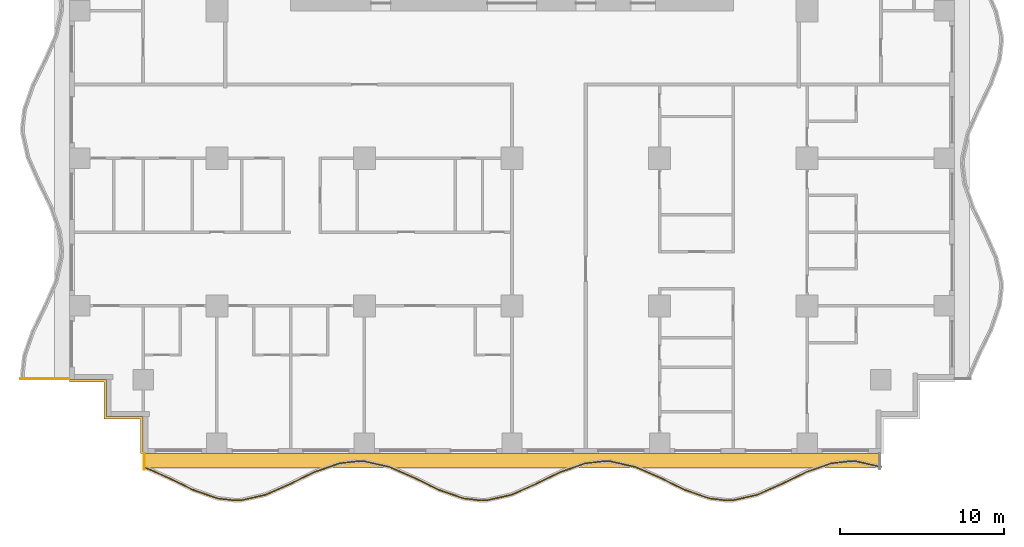
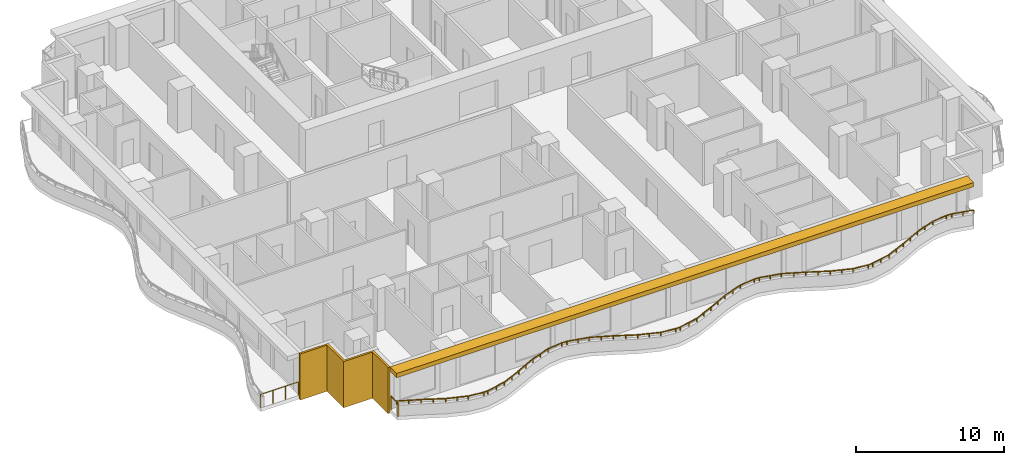
# One storey, part 8 of 14: 3 railings, 2 shading devices.
"""IFC4 building model written with IfcOpenShell, lengths in metres."""

from ifc_helpers import new_model, si_unit, direction, frame, origin, origin_2d, place, context, subcontext, project, spatial, polyline, rectangle, outline, extrude, material, layer, layer_set, type_object, element, save


model = new_model("IFC4")

# Units and contexts
model_context = context("Model", 3, precision=1e-05, world=origin(), true_north=direction((0.0, 1.0)))
body_context = subcontext(model_context, "Body", "Model", "MODEL_VIEW")
ifc_project = project(units=[si_unit("LENGTHUNIT", "METRE"), si_unit("AREAUNIT", "SQUARE_METRE"), si_unit("VOLUMEUNIT", "CUBIC_METRE"), si_unit("PLANEANGLEUNIT", "RADIAN"), si_unit("MASSUNIT", "GRAM", prefix="KILO")], contexts=[model_context])

# Site, building, storey
site_placement = place(None, origin())
site = spatial("IfcSite", under=ifc_project, at=site_placement, CompositionType="ELEMENT")
building_placement = place(site_placement, origin())
building = spatial("IfcBuilding", under=site, at=building_placement, Name="Orbiselva Terraces", CompositionType="ELEMENT")
storey_placement = place(building_placement, frame((0.0, 0.0, 103.6)))
storey = spatial("IfcBuildingStorey", under=building, at=storey_placement, Name="L26", CompositionType="ELEMENT", Elevation=103.6)

# Railings
ifc_material_1 = material(Name="Bonded two-ply safety glass balustrade, stainless steel posts", Category="steel")
railing_type_1 = type_object("IfcRailingType", Name="ENV-BALUSTRADE-1200", PredefinedType="BALUSTRADE", material=ifc_material_1)
railing_1_placement = place(storey_placement, frame((-22.449606, -23.33708, 0.9)))
element("IfcRailing", 1, at=railing_1_placement, inside=storey, type_object=railing_type_1, Name="Balcony balustrade L26 S", PredefinedType="BALUSTRADE", context=body_context, shape_type="SweptSolid", body=[
    extrude(outline(polyline([(0.028868, 0.0), (0.014434, 0.025), (-0.014434, 0.025), (-0.028868, 0.0), (-0.014434, -0.025), (0.014434, -0.025), (0.028868, 0.0)])), frame((0.0, 0.0, 0.275), z_axis=(0.915133394491, -0.403151175476, 0.0), x_axis=(0.403151175476, 0.915133394491, 0.0)), (0.0, 0.0, 1.0), 1.641563),
    extrude(outline(polyline([(0.028868, 0.0), (0.014434, 0.025), (-0.014434, 0.025), (-0.028868, 0.0), (-0.014434, -0.025), (0.014434, -0.025), (0.028868, 0.0)])), frame((1.502249, -0.661798, 0.275), z_axis=(0.89857890432, -0.438811978768, 0.0), x_axis=(0.438811978768, 0.89857890432, 0.0)), (0.0, 0.0, 1.0), 1.66438),
    extrude(outline(polyline([(0.028868, 0.0), (0.014434, 0.025), (-0.014434, 0.025), (-0.028868, 0.0), (-0.014434, -0.025), (0.014434, -0.025), (0.028868, 0.0)])), frame((2.997826, -1.392148, 0.275), z_axis=(0.943972277814, -0.330024754707, 0.0), x_axis=(0.330024754707, 0.943972277814, 0.0)), (0.0, 0.0, 1.0), 1.567807),
    extrude(outline(polyline([(0.028868, 0.0), (0.014434, 0.025), (-0.014434, 0.025), (-0.028868, 0.0), (-0.014434, -0.025), (0.014434, -0.025), (0.028868, 0.0)])), frame((4.477792, -1.909563, 0.275), z_axis=(0.993309658409, -0.115481264762, 0.0), x_axis=(0.115481264762, 0.993309658409, 0.0)), (0.0, 0.0, 1.0), 1.10902),
    extrude(outline(polyline([(0.028868, 0.0), (0.014434, 0.025), (-0.014434, 0.025), (-0.028868, 0.0), (-0.014434, -0.025), (0.014434, -0.025), (0.028868, 0.0)])), frame((5.579392, -2.037634, 0.275), z_axis=(0.999224931454, 0.039364150694, 0.0), x_axis=(-0.039364150694, 0.999224931454, 0.0)), (0.0, 0.0, 1.0), 0.354206),
    extrude(outline(polyline([(0.028868, 0.0), (0.014434, 0.025), (-0.014434, 0.025), (-0.028868, 0.0), (-0.014434, -0.025), (0.014434, -0.025), (0.028868, 0.0)])), frame((5.933323, -2.023691, 0.275), z_axis=(0.975721325753, 0.219015740235, 0.0), x_axis=(-0.219015740235, 0.975721325753, 0.0)), (0.0, 0.0, 1.0), 1.513782),
    extrude(outline(polyline([(0.028868, 0.0), (0.014434, 0.025), (-0.014434, 0.025), (-0.028868, 0.0), (-0.014434, -0.025), (0.014434, -0.025), (0.028868, 0.0)])), frame((7.410352, -1.692149, 0.275), z_axis=(0.915133363686, 0.403151245402, 0.0), x_axis=(-0.403151245402, 0.915133363686, 0.0)), (0.0, 0.0, 1.0), 1.624475),
    extrude(outline(polyline([(0.028868, 0.0), (0.014434, 0.025), (-0.014434, 0.025), (-0.028868, 0.0), (-0.014434, -0.025), (0.014434, -0.025), (0.028868, 0.0)])), frame((8.896963, -1.03724, 0.275), z_axis=(0.898578870221, 0.438812048596, 0.0), x_axis=(-0.438812048596, 0.898578870221, 0.0)), (0.0, 0.0, 1.0), 1.674225),
    extrude(outline(polyline([(0.028868, 0.0), (0.014434, 0.025), (-0.014434, 0.025), (-0.028868, 0.0), (-0.014434, -0.025), (0.014434, -0.025), (0.028868, 0.0)])), frame((10.401386, -0.30257, 0.275), z_axis=(0.943972332783, 0.330024597479, 0.0), x_axis=(-0.330024597479, 0.943972332783, 0.0)), (0.0, 0.0, 1.0), 1.610253),
    extrude(outline(polyline([(0.028868, 0.0), (0.014434, 0.025), (-0.014434, 0.025), (-0.028868, 0.0), (-0.014434, -0.025), (0.014434, -0.025), (0.028868, 0.0)])), frame((11.92142, 0.228853, 0.275), z_axis=(0.993309551734, 0.115482182324, 0.0), x_axis=(-0.115482182324, 0.993309551734, 0.0)), (0.0, 0.0, 1.0), 1.156135),
    extrude(outline(polyline([(0.028868, 0.0), (0.014434, 0.025), (-0.014434, 0.025), (-0.028868, 0.0), (-0.014434, -0.025), (0.014434, -0.025), (0.028868, 0.0)])), frame((13.06982, 0.362366, 0.275), z_axis=(0.999224734286, -0.03936915532, 0.0), x_axis=(0.03936915532, 0.999224734286, 0.0)), (0.0, 0.0, 1.0), 0.396376),
    extrude(outline(polyline([(0.028868, 0.0), (0.014434, 0.025), (-0.014434, 0.025), (-0.028868, 0.0), (-0.014434, -0.025), (0.014434, -0.025), (0.028868, 0.0)])), frame((13.465889, 0.346761, 0.275), z_axis=(0.97572137947, -0.219015500924, 0.0), x_axis=(0.219015500924, 0.97572137947, 0.0)), (0.0, 0.0, 1.0), 1.560867),
    extrude(outline(polyline([(0.028868, 0.0), (0.014434, 0.025), (-0.014434, 0.025), (-0.028868, 0.0), (-0.014434, -0.025), (0.014434, -0.025), (0.028868, 0.0)])), frame((14.98886, 0.004907, 0.275), z_axis=(0.915133527237, -0.403150874148, 0.0), x_axis=(0.403150874148, 0.915133527237, 0.0)), (0.0, 0.0, 1.0), 1.653736),
    extrude(outline(polyline([(0.028868, 0.0), (0.014434, 0.025), (-0.014434, 0.025), (-0.028868, 0.0), (-0.014434, -0.025), (0.014434, -0.025), (0.028868, 0.0)])), frame((16.502249, -0.661798, 0.275), z_axis=(0.89857890432, -0.438811978768, 0.0), x_axis=(0.438811978768, 0.89857890432, 0.0)), (0.0, 0.0, 1.0), 1.66438),
    extrude(outline(polyline([(0.028868, 0.0), (0.014434, 0.025), (-0.014434, 0.025), (-0.028868, 0.0), (-0.014434, -0.025), (0.014434, -0.025), (0.028868, 0.0)])), frame((17.997826, -1.392148, 0.275), z_axis=(0.943972277814, -0.330024754707, 0.0), x_axis=(0.330024754707, 0.943972277814, 0.0)), (0.0, 0.0, 1.0), 1.567807),
    extrude(outline(polyline([(0.028868, 0.0), (0.014434, 0.025), (-0.014434, 0.025), (-0.028868, 0.0), (-0.014434, -0.025), (0.014434, -0.025), (0.028868, 0.0)])), frame((19.477792, -1.909563, 0.275), z_axis=(0.993309658409, -0.115481264762, 0.0), x_axis=(0.115481264762, 0.993309658409, 0.0)), (0.0, 0.0, 1.0), 1.10902),
    extrude(outline(polyline([(0.028868, 0.0), (0.014434, 0.025), (-0.014434, 0.025), (-0.028868, 0.0), (-0.014434, -0.025), (0.014434, -0.025), (0.028868, 0.0)])), frame((20.579392, -2.037634, 0.275), z_axis=(0.999224931454, 0.039364150694, 0.0), x_axis=(-0.039364150694, 0.999224931454, 0.0)), (0.0, 0.0, 1.0), 0.354206),
    extrude(outline(polyline([(0.028868, 0.0), (0.014434, 0.025), (-0.014434, 0.025), (-0.028868, 0.0), (-0.014434, -0.025), (0.014434, -0.025), (0.028868, 0.0)])), frame((20.933323, -2.023691, 0.275), z_axis=(0.975721325753, 0.219015740235, 0.0), x_axis=(-0.219015740235, 0.975721325753, 0.0)), (0.0, 0.0, 1.0), 1.513782),
    extrude(outline(polyline([(0.028868, 0.0), (0.014434, 0.025), (-0.014434, 0.025), (-0.028868, 0.0), (-0.014434, -0.025), (0.014434, -0.025), (0.028868, 0.0)])), frame((22.410352, -1.692149, 0.275), z_axis=(0.915133363686, 0.403151245402, 0.0), x_axis=(-0.403151245402, 0.915133363686, 0.0)), (0.0, 0.0, 1.0), 1.624475),
    extrude(outline(polyline([(0.028868, 0.0), (0.014434, 0.025), (-0.014434, 0.025), (-0.028868, 0.0), (-0.014434, -0.025), (0.014434, -0.025), (0.028868, 0.0)])), frame((23.896963, -1.03724, 0.275), z_axis=(0.898578870221, 0.438812048596, 0.0), x_axis=(-0.438812048596, 0.898578870221, 0.0)), (0.0, 0.0, 1.0), 1.674225),
    extrude(outline(polyline([(0.028868, 0.0), (0.014434, 0.025), (-0.014434, 0.025), (-0.028868, 0.0), (-0.014434, -0.025), (0.014434, -0.025), (0.028868, 0.0)])), frame((25.401386, -0.30257, 0.275), z_axis=(0.943972332783, 0.330024597479, 0.0), x_axis=(-0.330024597479, 0.943972332783, 0.0)), (0.0, 0.0, 1.0), 1.610253),
    extrude(outline(polyline([(0.028868, 0.0), (0.014434, 0.025), (-0.014434, 0.025), (-0.028868, 0.0), (-0.014434, -0.025), (0.014434, -0.025), (0.028868, 0.0)])), frame((26.92142, 0.228853, 0.275), z_axis=(0.993309551734, 0.115482182324, 0.0), x_axis=(-0.115482182324, 0.993309551734, 0.0)), (0.0, 0.0, 1.0), 1.156135),
    extrude(outline(polyline([(0.028868, 0.0), (0.014434, 0.025), (-0.014434, 0.025), (-0.028868, 0.0), (-0.014434, -0.025), (0.014434, -0.025), (0.028868, 0.0)])), frame((28.06982, 0.362366, 0.275), z_axis=(0.999224734286, -0.03936915532, 0.0), x_axis=(0.03936915532, 0.999224734286, 0.0)), (0.0, 0.0, 1.0), 0.396376),
    extrude(outline(polyline([(0.028868, 0.0), (0.014434, 0.025), (-0.014434, 0.025), (-0.028868, 0.0), (-0.014434, -0.025), (0.014434, -0.025), (0.028868, 0.0)])), frame((28.465889, 0.346761, 0.275), z_axis=(0.97572137947, -0.219015500924, 0.0), x_axis=(0.219015500924, 0.97572137947, 0.0)), (0.0, 0.0, 1.0), 1.560867),
    extrude(outline(polyline([(0.028868, 0.0), (0.014434, 0.025), (-0.014434, 0.025), (-0.028868, 0.0), (-0.014434, -0.025), (0.014434, -0.025), (0.028868, 0.0)])), frame((29.98886, 0.004907, 0.275), z_axis=(0.915133527237, -0.403150874148, 0.0), x_axis=(0.403150874148, 0.915133527237, 0.0)), (0.0, 0.0, 1.0), 1.653736),
    extrude(outline(polyline([(0.028868, 0.0), (0.014434, 0.025), (-0.014434, 0.025), (-0.028868, 0.0), (-0.014434, -0.025), (0.014434, -0.025), (0.028868, 0.0)])), frame((31.502249, -0.661798, 0.275), z_axis=(0.89857890432, -0.438811978768, 0.0), x_axis=(0.438811978768, 0.89857890432, 0.0)), (0.0, 0.0, 1.0), 1.66438),
    extrude(outline(polyline([(0.028868, 0.0), (0.014434, 0.025), (-0.014434, 0.025), (-0.028868, 0.0), (-0.014434, -0.025), (0.014434, -0.025), (0.028868, 0.0)])), frame((32.997826, -1.392148, 0.275), z_axis=(0.943972277814, -0.330024754707, 0.0), x_axis=(0.330024754707, 0.943972277814, 0.0)), (0.0, 0.0, 1.0), 1.567807),
    extrude(outline(polyline([(0.028868, 0.0), (0.014434, 0.025), (-0.014434, 0.025), (-0.028868, 0.0), (-0.014434, -0.025), (0.014434, -0.025), (0.028868, 0.0)])), frame((34.477792, -1.909563, 0.275), z_axis=(0.993309658409, -0.115481264762, 0.0), x_axis=(0.115481264762, 0.993309658409, 0.0)), (0.0, 0.0, 1.0), 1.10902),
    extrude(outline(polyline([(0.028868, 0.0), (0.014434, 0.025), (-0.014434, 0.025), (-0.028868, 0.0), (-0.014434, -0.025), (0.014434, -0.025), (0.028868, 0.0)])), frame((35.579392, -2.037634, 0.275), z_axis=(0.999224931454, 0.039364150694, 0.0), x_axis=(-0.039364150694, 0.999224931454, 0.0)), (0.0, 0.0, 1.0), 0.354206),
    extrude(outline(polyline([(0.028868, 0.0), (0.014434, 0.025), (-0.014434, 0.025), (-0.028868, 0.0), (-0.014434, -0.025), (0.014434, -0.025), (0.028868, 0.0)])), frame((35.933323, -2.023691, 0.275), z_axis=(0.975721325753, 0.219015740235, 0.0), x_axis=(-0.219015740235, 0.975721325753, 0.0)), (0.0, 0.0, 1.0), 1.513782),
    extrude(outline(polyline([(0.028868, 0.0), (0.014434, 0.025), (-0.014434, 0.025), (-0.028868, 0.0), (-0.014434, -0.025), (0.014434, -0.025), (0.028868, 0.0)])), frame((37.410352, -1.692149, 0.275), z_axis=(0.915133363686, 0.403151245402, 0.0), x_axis=(-0.403151245402, 0.915133363686, 0.0)), (0.0, 0.0, 1.0), 1.624475),
    extrude(outline(polyline([(0.028868, 0.0), (0.014434, 0.025), (-0.014434, 0.025), (-0.028868, 0.0), (-0.014434, -0.025), (0.014434, -0.025), (0.028868, 0.0)])), frame((38.896963, -1.03724, 0.275), z_axis=(0.898578870221, 0.438812048596, 0.0), x_axis=(-0.438812048596, 0.898578870221, 0.0)), (0.0, 0.0, 1.0), 1.674225),
    extrude(outline(polyline([(0.028868, 0.0), (0.014434, 0.025), (-0.014434, 0.025), (-0.028868, 0.0), (-0.014434, -0.025), (0.014434, -0.025), (0.028868, 0.0)])), frame((40.401386, -0.30257, 0.275), z_axis=(0.943972332783, 0.330024597479, 0.0), x_axis=(-0.330024597479, 0.943972332783, 0.0)), (0.0, 0.0, 1.0), 1.610253),
    extrude(outline(polyline([(0.028868, 0.0), (0.014434, 0.025), (-0.014434, 0.025), (-0.028868, 0.0), (-0.014434, -0.025), (0.014434, -0.025), (0.028868, 0.0)])), frame((41.92142, 0.228853, 0.275), z_axis=(0.993309551734, 0.115482182324, 0.0), x_axis=(-0.115482182324, 0.993309551734, 0.0)), (0.0, 0.0, 1.0), 1.156135),
    extrude(outline(polyline([(0.028868, 0.0), (0.014434, 0.025), (-0.014434, 0.025), (-0.028868, 0.0), (-0.014434, -0.025), (0.014434, -0.025), (0.028868, 0.0)])), frame((43.06982, 0.362366, 0.275), z_axis=(0.999224734286, -0.03936915532, 0.0), x_axis=(0.03936915532, 0.999224734286, 0.0)), (0.0, 0.0, 1.0), 0.396376),
    extrude(outline(polyline([(0.028868, 0.0), (0.014434, 0.025), (-0.014434, 0.025), (-0.028868, 0.0), (-0.014434, -0.025), (0.014434, -0.025), (0.028868, 0.0)])), frame((43.465889, 0.346761, 0.275), z_axis=(0.97572138316, -0.219015484484, 0.0), x_axis=(0.219015484484, 0.97572138316, 0.0)), (0.0, 0.0, 1.0), 1.548694),
    extrude(rectangle(XDim=0.05, YDim=0.05, at=origin_2d()), origin(), (0.0, 0.0, 1.0), 0.25),
    extrude(rectangle(XDim=0.05, YDim=0.05, at=origin_2d()), frame((0.751124, -0.330899, 0.0)), (0.0, 0.0, 1.0), 0.25),
    extrude(rectangle(XDim=0.05, YDim=0.05, at=origin_2d()), frame((1.502249, -0.661798, 0.0)), (0.0, 0.0, 1.0), 0.25),
    extrude(rectangle(XDim=0.05, YDim=0.05, at=origin_2d()), frame((2.250037, -1.026973, 0.0)), (0.0, 0.0, 1.0), 0.25),
    extrude(rectangle(XDim=0.05, YDim=0.05, at=origin_2d()), frame((2.997826, -1.392148, 0.0)), (0.0, 0.0, 1.0), 0.25),
    extrude(rectangle(XDim=0.05, YDim=0.05, at=origin_2d()), frame((3.737809, -1.650855, 0.0)), (0.0, 0.0, 1.0), 0.25),
    extrude(rectangle(XDim=0.05, YDim=0.05, at=origin_2d()), frame((4.477792, -1.909563, 0.0)), (0.0, 0.0, 1.0), 0.25),
    extrude(rectangle(XDim=0.05, YDim=0.05, at=origin_2d()), frame((5.579392, -2.037634, 0.0)), (0.0, 0.0, 1.0), 0.25),
    extrude(rectangle(XDim=0.05, YDim=0.05, at=origin_2d()), frame((5.933323, -2.023691, 0.0)), (0.0, 0.0, 1.0), 0.25),
    extrude(rectangle(XDim=0.05, YDim=0.05, at=origin_2d()), frame((6.671837, -1.85792, 0.0)), (0.0, 0.0, 1.0), 0.25),
    extrude(rectangle(XDim=0.05, YDim=0.05, at=origin_2d()), frame((7.410352, -1.692149, 0.0)), (0.0, 0.0, 1.0), 0.25),
    extrude(rectangle(XDim=0.05, YDim=0.05, at=origin_2d()), frame((8.153658, -1.364695, 0.0)), (0.0, 0.0, 1.0), 0.25),
    extrude(rectangle(XDim=0.05, YDim=0.05, at=origin_2d()), frame((8.896963, -1.03724, 0.0)), (0.0, 0.0, 1.0), 0.25),
    extrude(rectangle(XDim=0.05, YDim=0.05, at=origin_2d()), frame((9.649174, -0.669905, 0.0)), (0.0, 0.0, 1.0), 0.25),
    extrude(rectangle(XDim=0.05, YDim=0.05, at=origin_2d()), frame((10.401386, -0.30257, 0.0)), (0.0, 0.0, 1.0), 0.25),
    extrude(rectangle(XDim=0.05, YDim=0.05, at=origin_2d()), frame((11.161403, -0.036858, 0.0)), (0.0, 0.0, 1.0), 0.25),
    extrude(rectangle(XDim=0.05, YDim=0.05, at=origin_2d()), frame((11.92142, 0.228853, 0.0)), (0.0, 0.0, 1.0), 0.25),
    extrude(rectangle(XDim=0.05, YDim=0.05, at=origin_2d()), frame((13.06982, 0.362366, 0.0)), (0.0, 0.0, 1.0), 0.25),
    extrude(rectangle(XDim=0.05, YDim=0.05, at=origin_2d()), frame((13.465889, 0.346761, 0.0)), (0.0, 0.0, 1.0), 0.25),
    extrude(rectangle(XDim=0.05, YDim=0.05, at=origin_2d()), frame((14.227374, 0.175834, 0.0)), (0.0, 0.0, 1.0), 0.25),
    extrude(rectangle(XDim=0.05, YDim=0.05, at=origin_2d()), frame((14.98886, 0.004907, 0.0)), (0.0, 0.0, 1.0), 0.25),
    extrude(rectangle(XDim=0.05, YDim=0.05, at=origin_2d()), frame((15.745554, -0.328446, 0.0)), (0.0, 0.0, 1.0), 0.25),
    extrude(rectangle(XDim=0.05, YDim=0.05, at=origin_2d()), frame((16.502249, -0.661798, 0.0)), (0.0, 0.0, 1.0), 0.25),
    extrude(rectangle(XDim=0.05, YDim=0.05, at=origin_2d()), frame((17.250037, -1.026973, 0.0)), (0.0, 0.0, 1.0), 0.25),
    extrude(rectangle(XDim=0.05, YDim=0.05, at=origin_2d()), frame((17.997826, -1.392148, 0.0)), (0.0, 0.0, 1.0), 0.25),
    extrude(rectangle(XDim=0.05, YDim=0.05, at=origin_2d()), frame((18.737809, -1.650855, 0.0)), (0.0, 0.0, 1.0), 0.25),
    extrude(rectangle(XDim=0.05, YDim=0.05, at=origin_2d()), frame((19.477792, -1.909563, 0.0)), (0.0, 0.0, 1.0), 0.25),
    extrude(rectangle(XDim=0.05, YDim=0.05, at=origin_2d()), frame((20.579392, -2.037634, 0.0)), (0.0, 0.0, 1.0), 0.25),
    extrude(rectangle(XDim=0.05, YDim=0.05, at=origin_2d()), frame((20.933323, -2.023691, 0.0)), (0.0, 0.0, 1.0), 0.25),
    extrude(rectangle(XDim=0.05, YDim=0.05, at=origin_2d()), frame((21.671838, -1.85792, 0.0)), (0.0, 0.0, 1.0), 0.25),
    extrude(rectangle(XDim=0.05, YDim=0.05, at=origin_2d()), frame((22.410352, -1.692149, 0.0)), (0.0, 0.0, 1.0), 0.25),
    extrude(rectangle(XDim=0.05, YDim=0.05, at=origin_2d()), frame((23.153658, -1.364695, 0.0)), (0.0, 0.0, 1.0), 0.25),
    extrude(rectangle(XDim=0.05, YDim=0.05, at=origin_2d()), frame((23.896963, -1.03724, 0.0)), (0.0, 0.0, 1.0), 0.25),
    extrude(rectangle(XDim=0.05, YDim=0.05, at=origin_2d()), frame((24.649174, -0.669905, 0.0)), (0.0, 0.0, 1.0), 0.25),
    extrude(rectangle(XDim=0.05, YDim=0.05, at=origin_2d()), frame((25.401386, -0.30257, 0.0)), (0.0, 0.0, 1.0), 0.25),
    extrude(rectangle(XDim=0.05, YDim=0.05, at=origin_2d()), frame((26.161403, -0.036858, 0.0)), (0.0, 0.0, 1.0), 0.25),
    extrude(rectangle(XDim=0.05, YDim=0.05, at=origin_2d()), frame((26.92142, 0.228853, 0.0)), (0.0, 0.0, 1.0), 0.25),
    extrude(rectangle(XDim=0.05, YDim=0.05, at=origin_2d()), frame((28.06982, 0.362366, 0.0)), (0.0, 0.0, 1.0), 0.25),
    extrude(rectangle(XDim=0.05, YDim=0.05, at=origin_2d()), frame((28.465889, 0.346761, 0.0)), (0.0, 0.0, 1.0), 0.25),
    extrude(rectangle(XDim=0.05, YDim=0.05, at=origin_2d()), frame((29.227374, 0.175834, 0.0)), (0.0, 0.0, 1.0), 0.25),
    extrude(rectangle(XDim=0.05, YDim=0.05, at=origin_2d()), frame((29.98886, 0.004907, 0.0)), (0.0, 0.0, 1.0), 0.25),
    extrude(rectangle(XDim=0.05, YDim=0.05, at=origin_2d()), frame((30.745554, -0.328446, 0.0)), (0.0, 0.0, 1.0), 0.25),
    extrude(rectangle(XDim=0.05, YDim=0.05, at=origin_2d()), frame((31.502249, -0.661798, 0.0)), (0.0, 0.0, 1.0), 0.25),
    extrude(rectangle(XDim=0.05, YDim=0.05, at=origin_2d()), frame((32.250038, -1.026973, 0.0)), (0.0, 0.0, 1.0), 0.25),
    extrude(rectangle(XDim=0.05, YDim=0.05, at=origin_2d()), frame((32.997826, -1.392148, 0.0)), (0.0, 0.0, 1.0), 0.25),
    extrude(rectangle(XDim=0.05, YDim=0.05, at=origin_2d()), frame((33.737809, -1.650855, 0.0)), (0.0, 0.0, 1.0), 0.25),
    extrude(rectangle(XDim=0.05, YDim=0.05, at=origin_2d()), frame((34.477792, -1.909563, 0.0)), (0.0, 0.0, 1.0), 0.25),
    extrude(rectangle(XDim=0.05, YDim=0.05, at=origin_2d()), frame((35.579392, -2.037634, 0.0)), (0.0, 0.0, 1.0), 0.25),
    extrude(rectangle(XDim=0.05, YDim=0.05, at=origin_2d()), frame((35.933323, -2.023691, 0.0)), (0.0, 0.0, 1.0), 0.25),
    extrude(rectangle(XDim=0.05, YDim=0.05, at=origin_2d()), frame((36.671838, -1.85792, 0.0)), (0.0, 0.0, 1.0), 0.25),
    extrude(rectangle(XDim=0.05, YDim=0.05, at=origin_2d()), frame((37.410352, -1.692149, 0.0)), (0.0, 0.0, 1.0), 0.25),
    extrude(rectangle(XDim=0.05, YDim=0.05, at=origin_2d()), frame((38.153658, -1.364695, 0.0)), (0.0, 0.0, 1.0), 0.25),
    extrude(rectangle(XDim=0.05, YDim=0.05, at=origin_2d()), frame((38.896963, -1.03724, 0.0)), (0.0, 0.0, 1.0), 0.25),
    extrude(rectangle(XDim=0.05, YDim=0.05, at=origin_2d()), frame((39.649174, -0.669905, 0.0)), (0.0, 0.0, 1.0), 0.25),
    extrude(rectangle(XDim=0.05, YDim=0.05, at=origin_2d()), frame((40.401386, -0.30257, 0.0)), (0.0, 0.0, 1.0), 0.25),
    extrude(rectangle(XDim=0.05, YDim=0.05, at=origin_2d()), frame((41.161403, -0.036858, 0.0)), (0.0, 0.0, 1.0), 0.25),
    extrude(rectangle(XDim=0.05, YDim=0.05, at=origin_2d()), frame((41.92142, 0.228853, 0.0)), (0.0, 0.0, 1.0), 0.25),
    extrude(rectangle(XDim=0.05, YDim=0.05, at=origin_2d()), frame((43.06982, 0.362366, 0.0)), (0.0, 0.0, 1.0), 0.25),
    extrude(rectangle(XDim=0.05, YDim=0.05, at=origin_2d()), frame((43.465889, 0.346761, 0.0)), (0.0, 0.0, 1.0), 0.25),
    extrude(rectangle(XDim=0.05, YDim=0.05, at=origin_2d()), frame((44.221436, 0.177167, 0.0)), (0.0, 0.0, 1.0), 0.25),
    extrude(rectangle(XDim=0.05, YDim=0.05, at=origin_2d()), frame((44.976983, 0.007573, 0.0)), (0.0, 0.0, 1.0), 0.25),
])
ifc_material_2 = material(Name="Stainless steel rail and posts", Category="steel")
railing_type_2 = type_object("IfcRailingType", Name="ENV-GUARD-1105", PredefinedType="BALUSTRADE", material=ifc_material_2)
railing_2_placement = place(storey_placement, frame((-22.44, -23.473063, 0.0)))
element("IfcRailing", 2, at=railing_2_placement, inside=storey, type_object=railing_type_2, Name="Balcony end guard L26 S", PredefinedType="BALUSTRADE", context=body_context, shape_type="SweptSolid", body=[
    extrude(outline(polyline([(0.028868, 0.0), (0.014434, 0.025), (-0.014434, 0.025), (-0.028868, 0.0), (-0.014434, -0.025), (0.014434, -0.025), (0.028868, 0.0)])), frame((0.0, 0.0, 1.08), z_axis=(0.0, 1.0, 0.0), x_axis=(-1.0, 0.0, 0.0)), (0.0, 0.0, 1.0), 0.948063),
    extrude(rectangle(XDim=0.05, YDim=0.05, at=origin_2d()), origin(), (0.0, 0.0, 1.0), 1.055),
    extrude(rectangle(XDim=0.05, YDim=0.05, at=origin_2d()), frame((0.0, 0.948063, 0.0)), (0.0, 0.0, 1.0), 1.055),
])
railing_3_placement = place(storey_placement, frame((-29.989569, -17.94, 0.0)))
element("IfcRailing", 3, at=railing_3_placement, inside=storey, type_object=railing_type_2, Name="Balcony end guard L26 W", PredefinedType="BALUSTRADE", context=body_context, shape_type="SweptSolid", body=[
    extrude(outline(polyline([(0.028868, 0.0), (0.014434, 0.025), (-0.014434, 0.025), (-0.028868, 0.0), (-0.014434, -0.025), (0.014434, -0.025), (0.028868, 0.0)])), frame((0.0, 0.0, 1.08), z_axis=(1.0, 0.0, 0.0), x_axis=(0.0, 1.0, 0.0)), (0.0, 0.0, 1.0), 2.964569),
    extrude(rectangle(XDim=0.05, YDim=0.05, at=origin_2d()), origin(), (0.0, 0.0, 1.0), 1.055),
    extrude(rectangle(XDim=0.05, YDim=0.05, at=origin_2d()), frame((0.98819, 0.0, 0.0)), (0.0, 0.0, 1.0), 1.055),
    extrude(rectangle(XDim=0.05, YDim=0.05, at=origin_2d()), frame((1.976379, 0.0, 0.0)), (0.0, 0.0, 1.0), 1.055),
    extrude(rectangle(XDim=0.05, YDim=0.05, at=origin_2d()), frame((2.964569, 0.0, 0.0)), (0.0, 0.0, 1.0), 1.055),
])

# Shading devices
ifc_material_3 = material(Name="Terracotta louvre screen", Category="masonry")
ifc_layer_1 = layer(ifc_material_3, 0.15)
ifc_layer_set_1 = layer_set([ifc_layer_1], Name="Terracotta louvre screen")
shading_device_type_1 = type_object("IfcShadingDeviceType", Name="ENV-SCREEN-150", PredefinedType="USERDEFINED", material=ifc_layer_set_1)
shading_device_1_placement = place(storey_placement, frame((0.0, 0.0, -0.3)))
element("IfcShadingDevice", 4, at=shading_device_1_placement, inside=storey, type_object=shading_device_type_1, Name="Louvre screen L26 SW", ObjectType="SCREEN", PredefinedType="USERDEFINED", context=body_context, shape_type="SweptSolid", body=[
    extrude(outline(polyline([(-27.0, -18.15), (-24.9, -18.15), (-24.9, -20.4), (-22.65, -20.4), (-22.65, -22.5), (-22.5, -22.5), (-22.5, -20.25), (-24.75, -20.25), (-24.75, -18.0), (-27.0, -18.0), (-27.0, -18.15)])), origin(), (0.0, 0.0, 1.0), 3.8),
])
ifc_material_4 = material(Name="Terracotta baguette sunshade", Category="masonry")
ifc_layer_2 = layer(ifc_material_4, 0.35)
ifc_layer_set_2 = layer_set([ifc_layer_2], Name="Terracotta baguette sunshade")
shading_device_type_2 = type_object("IfcShadingDeviceType", Name="ENV-SUNSHADE-900x350", PredefinedType="USERDEFINED", material=ifc_layer_set_2)
shading_device_2_placement = place(storey_placement, frame((0.0, 0.0, 3.15)))
element("IfcShadingDevice", 5, at=shading_device_2_placement, inside=storey, type_object=shading_device_type_2, Name="Sunshade band L26 S", ObjectType="SUNSHADE", PredefinedType="USERDEFINED", context=body_context, shape_type="SweptSolid", body=[
    extrude(outline(polyline([(-22.5, -23.4), (22.5, -23.4), (22.5, -22.5), (-22.5, -22.5), (-22.5, -23.4)])), origin(), (0.0, 0.0, 1.0), 0.35),
])

save(model, "model.ifc")
